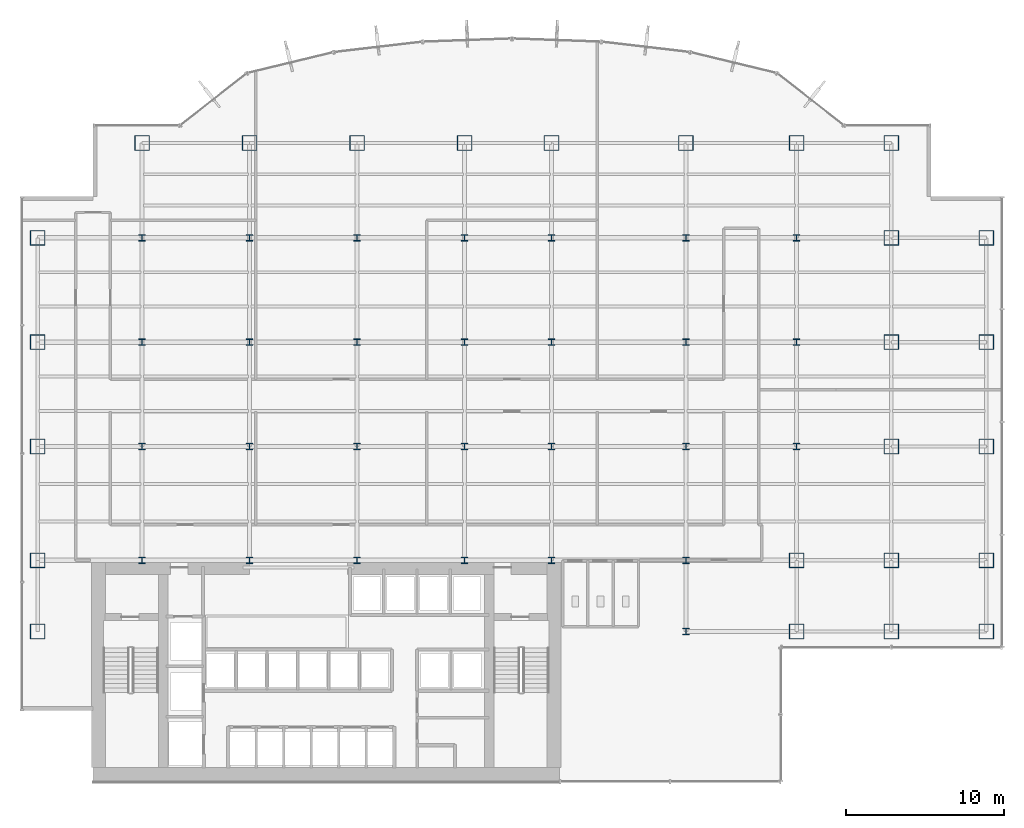
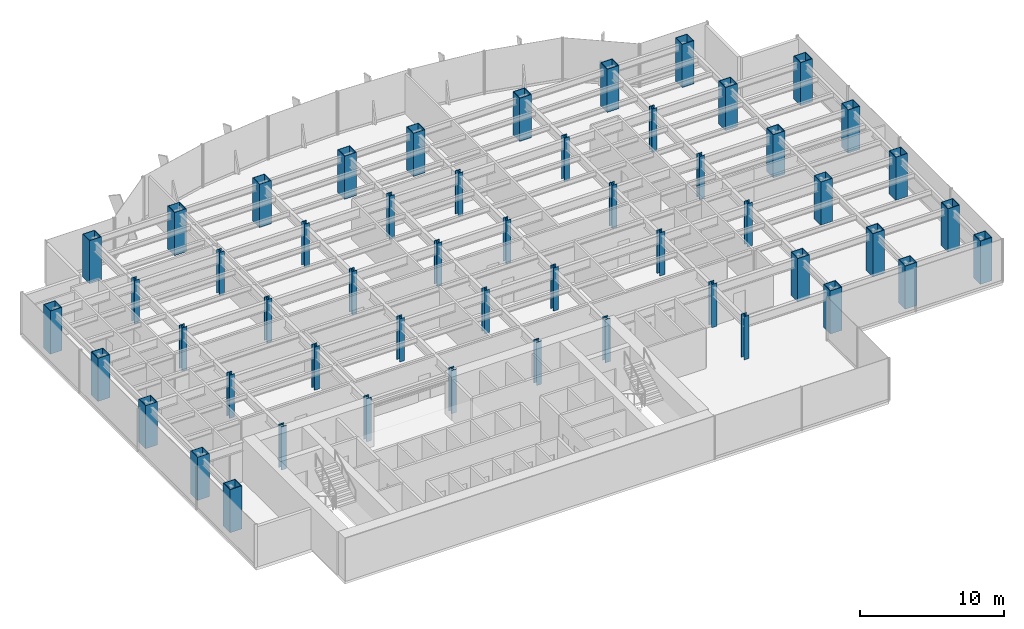
# One storey, part 1 of 22: 53 columns.
"""IFC4 building model written with IfcOpenShell, lengths in metres."""

from ifc_helpers import new_model, si_unit, derived_unit, direction, frame, origin, origin_2d, place, context, subcontext, project, spatial, hollow_rectangle, i_section, extrude, source, transform, mapped, material, material_profile, profile_set, type_object, element, save


model = new_model("IFC4")

# Units and contexts
model_context = context("Model", 3, precision=1e-05, world=origin(), true_north=direction((0.0, 1.0)))
body_context = subcontext(model_context, "Body", "Model", "MODEL_VIEW")
ifc_project = project(units=[si_unit("LENGTHUNIT", "METRE"), si_unit("AREAUNIT", "SQUARE_METRE"), si_unit("VOLUMEUNIT", "CUBIC_METRE"), si_unit("PLANEANGLEUNIT", "RADIAN"), si_unit("MASSUNIT", "GRAM", prefix="KILO"), derived_unit("THERMALTRANSMITTANCEUNIT", [(si_unit("POWERUNIT", "WATT"), 1), (si_unit("LENGTHUNIT", "METRE"), -2), (si_unit("THERMODYNAMICTEMPERATUREUNIT", "KELVIN"), -1)])], contexts=[model_context])

# Site, building, storey
site_placement = place(None, origin())
site = spatial("IfcSite", under=ifc_project, at=site_placement, CompositionType="ELEMENT")
building_placement = place(site_placement, origin())
building = spatial("IfcBuilding", under=site, at=building_placement, Name="Skarnbrae Concourse Arena and Tower", CompositionType="ELEMENT")
storey_placement = place(building_placement, frame((0.0, 0.0, 69.0)))
storey = spatial("IfcBuildingStorey", under=building, at=storey_placement, Name="L16", CompositionType="ELEMENT", Elevation=69.0)

# Columns
ifc_material = material(Name="Steel CSA G40.21 350W", Category="steel")
ifc_material_profile_1 = material_profile(ifc_material, hollow_rectangle(XDim=0.949951171875, YDim=0.949951171875, WallThickness=0.044921875, at=origin_2d()), Name="BOX950X950X45")
ifc_profile_set_1 = profile_set([ifc_material_profile_1], Name="Steel CSA G40.21 350W")
column_type_1 = type_object("IfcColumnType", Name="COL-TUBE-BOX950", PredefinedType="COLUMN", material=ifc_profile_set_1)
shared_shape_1 = source(origin(), body_context, "Body", "SweptSolid", [
    extrude(hollow_rectangle(XDim=0.949951171875, YDim=0.949951171875, WallThickness=0.044921875, at=origin_2d()), origin(), (0.0, 0.0, 1.0), 3.64990234375),
])
for number, where, z_axis, x_axis, name in (
    (1, (1.0, 9.5, 0.0), (0.0, 0.0, 1.0), (1.0, 0.0, 0.0), "L16 Tower column PC_01_01"),
    (2, (1.0, 14.0, 0.0), (0.0, 0.0, 1.0), (1.0, 0.0, 0.0), "L16 Tower column PC_01_02"),
    (3, (1.0, 21.199951171875, 0.0), (0.0, 0.0, 1.0), (1.0, 0.0, 0.0), "L16 Tower column PC_01_03"),
    (4, (1.0, 27.800048828125, 0.0), (0.0, 0.0, 1.0), (1.0, 0.0, 0.0), "L16 Tower column PC_01_04"),
    (5, (1.0, 34.39990234375, 0.0), (0.0, 0.0, 1.0), (1.0, 0.0, 0.0), "L16 Tower column PC_01_05"),
    (6, (7.60009765625, 40.39990234375, 0.0), (0.0, 0.0, 1.0), (1.0, 0.0, 0.0), "L16 Tower column PC_02_06"),
    (7, (14.39990234375, 40.39990234375, 0.0), (0.0, 0.0, 1.0), (1.0, 0.0, 0.0), "L16 Tower column PC_03_06"),
    (8, (21.199951171875, 40.39990234375, 0.0), (0.0, 0.0, 1.0), (1.0, 0.0, 0.0), "L16 Tower column PC_04_06"),
    (9, (28.0, 40.39990234375, 0.0), (0.0, 0.0, 1.0), (1.0, 0.0, 0.0), "L16 Tower column PC_05_06"),
    (10, (33.5, 40.39990234375, 0.0), (0.0, 0.0, 1.0), (1.0, 0.0, 0.0), "L16 Tower column PC_06_06"),
    (11, (42.0, 40.39990234375, 0.0), (0.0, 0.0, 1.0), (1.0, 0.0, 0.0), "L16 Tower column PC_07_06"),
    (12, (49.0, 9.5, 0.0), (0.0, 0.0, 1.0), (1.0, 0.0, 0.0), "L16 Tower column PC_08_01"),
    (13, (49.0, 14.0, 0.0), (0.0, 0.0, 1.0), (1.0, 0.0, 0.0), "L16 Tower column PC_08_02"),
    (14, (49.0, 40.39990234375, 0.0), (0.0, 0.0, 1.0), (1.0, 0.0, 0.0), "L16 Tower column PC_08_06"),
    (15, (55.0, 9.5, 0.0), (0.0, 0.0, 1.0), (1.0, 0.0, 0.0), "L16 Tower column PC_09_01"),
    (16, (55.0, 14.0, 0.0), (0.0, 0.0, 1.0), (1.0, 0.0, 0.0), "L16 Tower column PC_09_02"),
    (17, (55.0, 21.199951171875, 0.0), (0.0, 0.0, 1.0), (1.0, 0.0, 0.0), "L16 Tower column PC_09_03"),
    (18, (55.0, 27.800048828125, 0.0), (0.0, 0.0, 1.0), (1.0, 0.0, 0.0), "L16 Tower column PC_09_04"),
    (19, (55.0, 34.39990234375, 0.0), (0.0, 0.0, 1.0), (1.0, 0.0, 0.0), "L16 Tower column PC_09_05"),
    (20, (55.0, 40.39990234375, 0.0), (0.0, 0.0, 1.0), (1.0, 0.0, 0.0), "L16 Tower column PC_09_06"),
    (21, (61.0, 9.5, 0.0), (0.0, 0.0, 1.0), (1.0, 0.0, 0.0), "L16 Tower column PC_10_01"),
    (22, (61.0, 14.0, 0.0), (0.0, 0.0, 1.0), (1.0, 0.0, 0.0), "L16 Tower column PC_10_02"),
    (23, (61.0, 21.199951171875, 0.0), (0.0, 0.0, 1.0), (1.0, 0.0, 0.0), "L16 Tower column PC_10_03"),
    (24, (61.0, 27.800048828125, 0.0), (0.0, 0.0, 1.0), (1.0, 0.0, 0.0), "L16 Tower column PC_10_04"),
    (25, (61.0, 34.39990234375, 0.0), (0.0, 0.0, 1.0), (1.0, 0.0, 0.0), "L16 Tower column PC_10_05"),
):
    element("IfcColumn", number, at=place(storey_placement, frame(where, z_axis=z_axis, x_axis=x_axis)), inside=storey, type_object=column_type_1, Name=name, PredefinedType="COLUMN", context=body_context, shape_type="MappedRepresentation", body=[
        mapped(shared_shape_1, transform((0.0, 0.0, 0.0))),
    ])
ifc_material_profile_2 = material_profile(ifc_material, i_section(OverallWidth=0.406005859375, OverallDepth=0.416015625, WebThickness=0.02978515625, FlangeThickness=0.048095703125, at=origin_2d()), Name="W360X382")
ifc_profile_set_2 = profile_set([ifc_material_profile_2], Name="Steel CSA G40.21 350W")
column_type_2 = type_object("IfcColumnType", Name="COL-INT-W360X382", PredefinedType="COLUMN", material=ifc_profile_set_2)
shared_shape_2 = source(origin(), body_context, "Body", "SweptSolid", [
    extrude(i_section(OverallWidth=0.406005859375, OverallDepth=0.416015625, WebThickness=0.02978515625, FlangeThickness=0.048095703125, at=origin_2d()), origin(), (0.0, 0.0, 1.0), 3.64990234375),
])
for number, where, z_axis, x_axis, name in (
    (26, (7.60009765625, 14.0, 0.0), (0.0, 0.0, 1.0), (1.0, 0.0, 0.0), "L16 Tower column IC_02_02"),
    (27, (7.60009765625, 21.199951171875, 0.0), (0.0, 0.0, 1.0), (1.0, 0.0, 0.0), "L16 Tower column IC_02_03"),
    (28, (7.60009765625, 27.800048828125, 0.0), (0.0, 0.0, 1.0), (1.0, 0.0, 0.0), "L16 Tower column IC_02_04"),
    (29, (7.60009765625, 34.39990234375, 0.0), (0.0, 0.0, 1.0), (1.0, 0.0, 0.0), "L16 Tower column IC_02_05"),
    (30, (14.39990234375, 14.0, 0.0), (0.0, 0.0, 1.0), (1.0, 0.0, 0.0), "L16 Tower column IC_03_02"),
    (31, (14.39990234375, 21.199951171875, 0.0), (0.0, 0.0, 1.0), (1.0, 0.0, 0.0), "L16 Tower column IC_03_03"),
    (32, (14.39990234375, 27.800048828125, 0.0), (0.0, 0.0, 1.0), (1.0, 0.0, 0.0), "L16 Tower column IC_03_04"),
    (33, (14.39990234375, 34.39990234375, 0.0), (0.0, 0.0, 1.0), (1.0, 0.0, 0.0), "L16 Tower column IC_03_05"),
    (34, (21.199951171875, 14.0, 0.0), (0.0, 0.0, 1.0), (1.0, 0.0, 0.0), "L16 Tower column IC_04_02"),
    (35, (21.199951171875, 21.199951171875, 0.0), (0.0, 0.0, 1.0), (1.0, 0.0, 0.0), "L16 Tower column IC_04_03"),
    (36, (21.199951171875, 27.800048828125, 0.0), (0.0, 0.0, 1.0), (1.0, 0.0, 0.0), "L16 Tower column IC_04_04"),
    (37, (21.199951171875, 34.39990234375, 0.0), (0.0, 0.0, 1.0), (1.0, 0.0, 0.0), "L16 Tower column IC_04_05"),
    (38, (28.0, 14.0, 0.0), (0.0, 0.0, 1.0), (1.0, 0.0, 0.0), "L16 Tower column IC_05_02"),
    (39, (28.0, 21.199951171875, 0.0), (0.0, 0.0, 1.0), (1.0, 0.0, 0.0), "L16 Tower column IC_05_03"),
    (40, (28.0, 27.800048828125, 0.0), (0.0, 0.0, 1.0), (1.0, 0.0, 0.0), "L16 Tower column IC_05_04"),
    (41, (28.0, 34.39990234375, 0.0), (0.0, 0.0, 1.0), (1.0, 0.0, 0.0), "L16 Tower column IC_05_05"),
    (42, (33.5, 14.0, 0.0), (0.0, 0.0, 1.0), (1.0, 0.0, 0.0), "L16 Tower column IC_06_02"),
    (43, (33.5, 21.199951171875, 0.0), (0.0, 0.0, 1.0), (1.0, 0.0, 0.0), "L16 Tower column IC_06_03"),
    (44, (33.5, 27.800048828125, 0.0), (0.0, 0.0, 1.0), (1.0, 0.0, 0.0), "L16 Tower column IC_06_04"),
    (45, (33.5, 34.39990234375, 0.0), (0.0, 0.0, 1.0), (1.0, 0.0, 0.0), "L16 Tower column IC_06_05"),
    (46, (42.0, 9.5, 0.0), (0.0, 0.0, 1.0), (1.0, 0.0, 0.0), "L16 Tower column IC_07_01"),
    (47, (42.0, 14.0, 0.0), (0.0, 0.0, 1.0), (1.0, 0.0, 0.0), "L16 Tower column IC_07_02"),
    (48, (42.0, 21.199951171875, 0.0), (0.0, 0.0, 1.0), (1.0, 0.0, 0.0), "L16 Tower column IC_07_03"),
    (49, (42.0, 27.800048828125, 0.0), (0.0, 0.0, 1.0), (1.0, 0.0, 0.0), "L16 Tower column IC_07_04"),
    (50, (42.0, 34.39990234375, 0.0), (0.0, 0.0, 1.0), (1.0, 0.0, 0.0), "L16 Tower column IC_07_05"),
    (51, (49.0, 21.199951171875, 0.0), (0.0, 0.0, 1.0), (1.0, 0.0, 0.0), "L16 Tower column IC_08_03"),
    (52, (49.0, 27.800048828125, 0.0), (0.0, 0.0, 1.0), (1.0, 0.0, 0.0), "L16 Tower column IC_08_04"),
    (53, (49.0, 34.39990234375, 0.0), (0.0, 0.0, 1.0), (1.0, 0.0, 0.0), "L16 Tower column IC_08_05"),
):
    element("IfcColumn", number, at=place(storey_placement, frame(where, z_axis=z_axis, x_axis=x_axis)), inside=storey, type_object=column_type_2, Name=name, PredefinedType="COLUMN", context=body_context, shape_type="MappedRepresentation", body=[
        mapped(shared_shape_2, transform((0.0, 0.0, 0.0))),
    ])

save(model, "model.ifc")
